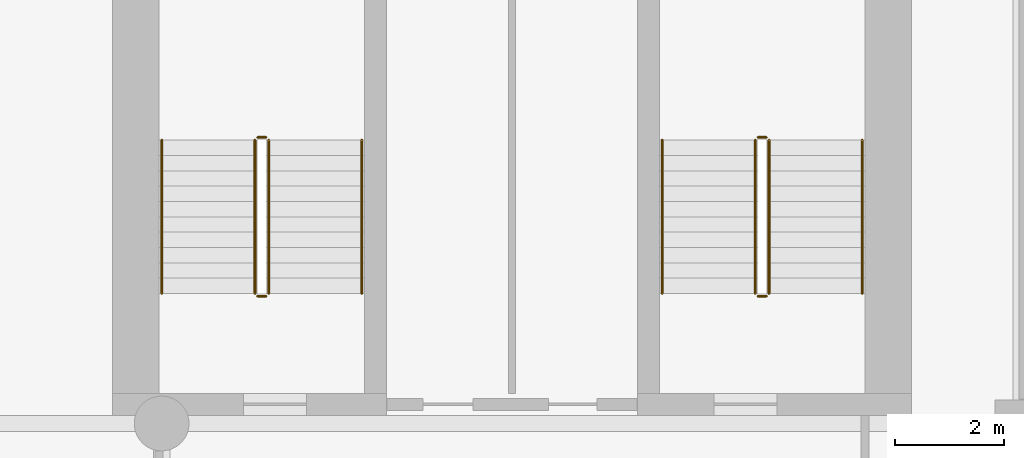
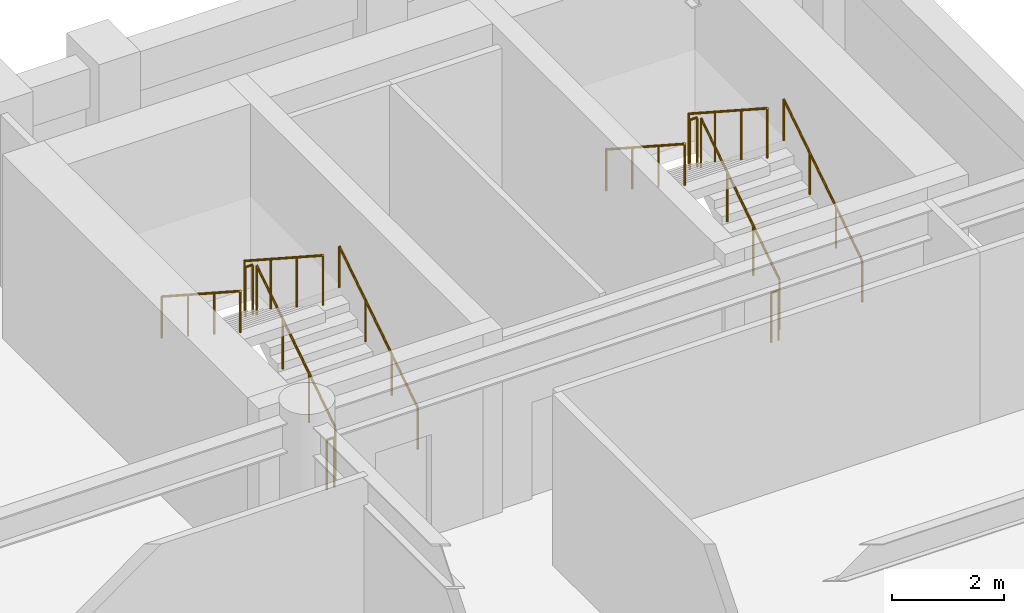
# One storey, part 8 of 8: 12 railings.
"""IFC4 building model written with IfcOpenShell, lengths in metres."""

from ifc_helpers import new_model, si_unit, direction, frame, origin, origin_2d, place, context, subcontext, project, spatial, circle, extrude, material, type_object, element, save


model = new_model("IFC4")

# Units and contexts
model_context = context("Model", 3, precision=1e-05, world=origin(), true_north=direction((0.0, 1.0)))
body_context = subcontext(model_context, "Body", "Model", "MODEL_VIEW")
ifc_project = project(units=[si_unit("LENGTHUNIT", "METRE"), si_unit("AREAUNIT", "SQUARE_METRE"), si_unit("VOLUMEUNIT", "CUBIC_METRE"), si_unit("PLANEANGLEUNIT", "RADIAN"), si_unit("MASSUNIT", "GRAM", prefix="KILO")], contexts=[model_context])

# Site, building, storey
site_placement = place(None, origin())
site = spatial("IfcSite", under=ifc_project, at=site_placement, CompositionType="ELEMENT")
building_placement = place(site_placement, origin())
building = spatial("IfcBuilding", under=site, at=building_placement, Name="Sulina Concourse Tower", CompositionType="ELEMENT")
storey_placement = place(building_placement, frame((0.0, 0.0, 136.60009765625)))
storey = spatial("IfcBuildingStorey", under=building, at=storey_placement, Name="L33", CompositionType="ELEMENT", Elevation=136.60009765625)

# Railings
ifc_material_1 = material(Name="Galvanised steel railing", Category="steel")
railing_type_1 = type_object("IfcRailingType", Name="Core Stair Steel Guardrail 1150mm", PredefinedType="GUARDRAIL", material=ifc_material_1)
railing_1_placement = place(storey_placement, frame((43.554931640625, 36.375, 0.181640625)))
element("IfcRailing", 1, at=railing_1_placement, inside=storey, type_object=railing_type_1, Name="L33 ST-3 stair guard 1", PredefinedType="GUARDRAIL", context=body_context, shape_type="SweptSolid", body=[
    extrude(circle(Radius=0.02392578125, at=origin_2d()), frame((0.0, 0.0, 1.076171875), z_axis=(0.0, 0.838672427954, 0.544636170843), x_axis=(-1.0, 0.0, 0.0)), (0.0, 0.0, 1.0), 3.338623046875),
    extrude(circle(Radius=0.02099609375, at=origin_2d()), origin(), (0.0, 0.0, 1.0), 1.052001953125),
    extrude(circle(Radius=0.02099609375, at=origin_2d()), frame((0.0, 0.933349609375, 0.606201171875)), (0.0, 0.0, 1.0), 1.052001953125),
    extrude(circle(Radius=0.02099609375, at=origin_2d()), frame((0.0, 1.86669921875, 1.212158203125)), (0.0, 0.0, 1.0), 1.052001953125),
    extrude(circle(Radius=0.02099609375, at=origin_2d()), frame((0.0, 2.800048828125, 1.818359375)), (0.0, 0.0, 1.0), 1.052001953125),
])
railing_2_placement = place(storey_placement, frame((43.5048828125, 39.22509765625, 2.0)))
element("IfcRailing", 2, at=railing_2_placement, inside=storey, type_object=railing_type_1, Name="L33 ST-3 stair guard 2", PredefinedType="GUARDRAIL", context=body_context, shape_type="SweptSolid", body=[
    extrude(circle(Radius=0.02392578125, at=origin_2d()), frame((0.0, 0.0, 1.076171875), z_axis=(-1.0, 0.0, 0.0), x_axis=(0.0, -1.0, 0.0)), (0.0, 0.0, 1.0), 0.14990234375),
    extrude(circle(Radius=0.02099609375, at=origin_2d()), origin(), (0.0, 0.0, 1.0), 1.052001953125),
    extrude(circle(Radius=0.02099609375, at=origin_2d()), frame((-0.14990234375, 0.0, 0.0)), (0.0, 0.0, 1.0), 1.052001953125),
])
railing_3_placement = place(storey_placement, frame((43.304931640625, 39.175048828125, 2.181640625)))
element("IfcRailing", 3, at=railing_3_placement, inside=storey, type_object=railing_type_1, Name="L33 ST-3 stair guard 3", PredefinedType="GUARDRAIL", context=body_context, shape_type="SweptSolid", body=[
    extrude(circle(Radius=0.02392578125, at=origin_2d()), frame((0.0, 0.0, 1.076171875), z_axis=(0.0, -0.838672427954, 0.544636170843), x_axis=(1.0, 0.0, 0.0)), (0.0, 0.0, 1.0), 3.338623046875),
    extrude(circle(Radius=0.02099609375, at=origin_2d()), origin(), (0.0, 0.0, 1.0), 1.052001953125),
    extrude(circle(Radius=0.02099609375, at=origin_2d()), frame((0.0, -0.933349609375, 0.606201171875)), (0.0, 0.0, 1.0), 1.052001953125),
    extrude(circle(Radius=0.02099609375, at=origin_2d()), frame((0.0, -1.86669921875, 1.212158203125)), (0.0, 0.0, 1.0), 1.052001953125),
    extrude(circle(Radius=0.02099609375, at=origin_2d()), frame((0.0, -2.800048828125, 1.818359375)), (0.0, 0.0, 1.0), 1.052001953125),
])
railing_4_placement = place(storey_placement, frame((43.5048828125, 36.324951171875, 0.0)))
element("IfcRailing", 4, at=railing_4_placement, inside=storey, type_object=railing_type_1, Name="L33 ST-3 stair guard 4", PredefinedType="GUARDRAIL", context=body_context, shape_type="SweptSolid", body=[
    extrude(circle(Radius=0.02392578125, at=origin_2d()), frame((0.0, 0.0, 1.076171875), z_axis=(-1.0, 0.0, 0.0), x_axis=(0.0, -1.0, 0.0)), (0.0, 0.0, 1.0), 0.14990234375),
    extrude(circle(Radius=0.02099609375, at=origin_2d()), origin(), (0.0, 0.0, 1.0), 1.052001953125),
    extrude(circle(Radius=0.02099609375, at=origin_2d()), frame((-0.14990234375, 0.0, 0.0)), (0.0, 0.0, 1.0), 1.052001953125),
])
railing_5_placement = place(storey_placement, frame((52.695068359375, 36.375, 0.181640625)))
element("IfcRailing", 5, at=railing_5_placement, inside=storey, type_object=railing_type_1, Name="L33 ST-4 stair guard 1", PredefinedType="GUARDRAIL", context=body_context, shape_type="SweptSolid", body=[
    extrude(circle(Radius=0.02392578125, at=origin_2d()), frame((0.0, 0.0, 1.076171875), z_axis=(0.0, 0.838672427954, 0.544636170843), x_axis=(-1.0, 0.0, 0.0)), (0.0, 0.0, 1.0), 3.338623046875),
    extrude(circle(Radius=0.02099609375, at=origin_2d()), origin(), (0.0, 0.0, 1.0), 1.052001953125),
    extrude(circle(Radius=0.02099609375, at=origin_2d()), frame((0.0, 0.933349609375, 0.606201171875)), (0.0, 0.0, 1.0), 1.052001953125),
    extrude(circle(Radius=0.02099609375, at=origin_2d()), frame((0.0, 1.86669921875, 1.212158203125)), (0.0, 0.0, 1.0), 1.052001953125),
    extrude(circle(Radius=0.02099609375, at=origin_2d()), frame((0.0, 2.800048828125, 1.818359375)), (0.0, 0.0, 1.0), 1.052001953125),
])
railing_6_placement = place(storey_placement, frame((52.64501953125, 39.22509765625, 2.0)))
element("IfcRailing", 6, at=railing_6_placement, inside=storey, type_object=railing_type_1, Name="L33 ST-4 stair guard 2", PredefinedType="GUARDRAIL", context=body_context, shape_type="SweptSolid", body=[
    extrude(circle(Radius=0.02392578125, at=origin_2d()), frame((0.0, 0.0, 1.076171875), z_axis=(-1.0, 0.0, 0.0), x_axis=(0.0, -1.0, 0.0)), (0.0, 0.0, 1.0), 0.14990234375),
    extrude(circle(Radius=0.02099609375, at=origin_2d()), origin(), (0.0, 0.0, 1.0), 1.052001953125),
    extrude(circle(Radius=0.02099609375, at=origin_2d()), frame((-0.14990234375, 0.0, 0.0)), (0.0, 0.0, 1.0), 1.052001953125),
])
railing_7_placement = place(storey_placement, frame((52.445068359375, 39.175048828125, 2.181640625)))
element("IfcRailing", 7, at=railing_7_placement, inside=storey, type_object=railing_type_1, Name="L33 ST-4 stair guard 3", PredefinedType="GUARDRAIL", context=body_context, shape_type="SweptSolid", body=[
    extrude(circle(Radius=0.02392578125, at=origin_2d()), frame((0.0, 0.0, 1.076171875), z_axis=(0.0, -0.838672427954, 0.544636170843), x_axis=(1.0, 0.0, 0.0)), (0.0, 0.0, 1.0), 3.338623046875),
    extrude(circle(Radius=0.02099609375, at=origin_2d()), origin(), (0.0, 0.0, 1.0), 1.052001953125),
    extrude(circle(Radius=0.02099609375, at=origin_2d()), frame((0.0, -0.933349609375, 0.606201171875)), (0.0, 0.0, 1.0), 1.052001953125),
    extrude(circle(Radius=0.02099609375, at=origin_2d()), frame((0.0, -1.86669921875, 1.212158203125)), (0.0, 0.0, 1.0), 1.052001953125),
    extrude(circle(Radius=0.02099609375, at=origin_2d()), frame((0.0, -2.800048828125, 1.818359375)), (0.0, 0.0, 1.0), 1.052001953125),
])
railing_8_placement = place(storey_placement, frame((52.64501953125, 36.324951171875, 0.0)))
element("IfcRailing", 8, at=railing_8_placement, inside=storey, type_object=railing_type_1, Name="L33 ST-4 stair guard 4", PredefinedType="GUARDRAIL", context=body_context, shape_type="SweptSolid", body=[
    extrude(circle(Radius=0.02392578125, at=origin_2d()), frame((0.0, 0.0, 1.076171875), z_axis=(-1.0, 0.0, 0.0), x_axis=(0.0, -1.0, 0.0)), (0.0, 0.0, 1.0), 0.14990234375),
    extrude(circle(Radius=0.02099609375, at=origin_2d()), origin(), (0.0, 0.0, 1.0), 1.052001953125),
    extrude(circle(Radius=0.02099609375, at=origin_2d()), frame((-0.14990234375, 0.0, 0.0)), (0.0, 0.0, 1.0), 1.052001953125),
])
ifc_material_2 = material(Name="Galvanised steel railing", Category="steel")
railing_type_2 = type_object("IfcRailingType", Name="Stair Wall Steel Handrail 920mm", PredefinedType="HANDRAIL", material=ifc_material_2)
railing_9_placement = place(storey_placement, frame((45.2548828125, 36.375, 0.181640625)))
element("IfcRailing", 9, at=railing_9_placement, inside=storey, type_object=railing_type_2, Name="L33 ST-3 stair handrail 1", PredefinedType="HANDRAIL", context=body_context, shape_type="SweptSolid", body=[
    extrude(circle(Radius=0.02392578125, at=origin_2d()), frame((0.0, 0.0, 0.89599609375), z_axis=(0.0, 0.838672427954, 0.544636170843), x_axis=(-1.0, 0.0, 0.0)), (0.0, 0.0, 1.0), 3.338623046875),
    extrude(circle(Radius=0.02099609375, at=origin_2d()), origin(), (0.0, 0.0, 1.0), 0.871826171875),
    extrude(circle(Radius=0.02099609375, at=origin_2d()), frame((0.0, 0.933349609375, 0.606201171875)), (0.0, 0.0, 1.0), 0.871826171875),
    extrude(circle(Radius=0.02099609375, at=origin_2d()), frame((0.0, 1.86669921875, 1.212158203125)), (0.0, 0.0, 1.0), 0.871826171875),
    extrude(circle(Radius=0.02099609375, at=origin_2d()), frame((0.0, 2.800048828125, 1.818359375)), (0.0, 0.0, 1.0), 0.871826171875),
])
railing_10_placement = place(storey_placement, frame((41.60498046875, 39.175048828125, 2.181640625)))
element("IfcRailing", 10, at=railing_10_placement, inside=storey, type_object=railing_type_2, Name="L33 ST-3 stair handrail 2", PredefinedType="HANDRAIL", context=body_context, shape_type="SweptSolid", body=[
    extrude(circle(Radius=0.02392578125, at=origin_2d()), frame((0.0, 0.0, 0.89599609375), z_axis=(0.0, -0.838672427954, 0.544636170843), x_axis=(1.0, 0.0, 0.0)), (0.0, 0.0, 1.0), 3.338623046875),
    extrude(circle(Radius=0.02099609375, at=origin_2d()), origin(), (0.0, 0.0, 1.0), 0.871826171875),
    extrude(circle(Radius=0.02099609375, at=origin_2d()), frame((0.0, -0.933349609375, 0.606201171875)), (0.0, 0.0, 1.0), 0.871826171875),
    extrude(circle(Radius=0.02099609375, at=origin_2d()), frame((0.0, -1.86669921875, 1.212158203125)), (0.0, 0.0, 1.0), 0.871826171875),
    extrude(circle(Radius=0.02099609375, at=origin_2d()), frame((0.0, -2.800048828125, 1.818359375)), (0.0, 0.0, 1.0), 0.871826171875),
])
railing_11_placement = place(storey_placement, frame((54.39501953125, 36.375, 0.181640625)))
element("IfcRailing", 11, at=railing_11_placement, inside=storey, type_object=railing_type_2, Name="L33 ST-4 stair handrail 1", PredefinedType="HANDRAIL", context=body_context, shape_type="SweptSolid", body=[
    extrude(circle(Radius=0.02392578125, at=origin_2d()), frame((0.0, 0.0, 0.89599609375), z_axis=(0.0, 0.838672427954, 0.544636170843), x_axis=(-1.0, 0.0, 0.0)), (0.0, 0.0, 1.0), 3.338623046875),
    extrude(circle(Radius=0.02099609375, at=origin_2d()), origin(), (0.0, 0.0, 1.0), 0.871826171875),
    extrude(circle(Radius=0.02099609375, at=origin_2d()), frame((0.0, 0.933349609375, 0.606201171875)), (0.0, 0.0, 1.0), 0.871826171875),
    extrude(circle(Radius=0.02099609375, at=origin_2d()), frame((0.0, 1.86669921875, 1.212158203125)), (0.0, 0.0, 1.0), 0.871826171875),
    extrude(circle(Radius=0.02099609375, at=origin_2d()), frame((0.0, 2.800048828125, 1.818359375)), (0.0, 0.0, 1.0), 0.871826171875),
])
railing_12_placement = place(storey_placement, frame((50.7451171875, 39.175048828125, 2.181640625)))
element("IfcRailing", 12, at=railing_12_placement, inside=storey, type_object=railing_type_2, Name="L33 ST-4 stair handrail 2", PredefinedType="HANDRAIL", context=body_context, shape_type="SweptSolid", body=[
    extrude(circle(Radius=0.02392578125, at=origin_2d()), frame((0.0, 0.0, 0.89599609375), z_axis=(0.0, -0.838672427954, 0.544636170843), x_axis=(1.0, 0.0, 0.0)), (0.0, 0.0, 1.0), 3.338623046875),
    extrude(circle(Radius=0.02099609375, at=origin_2d()), origin(), (0.0, 0.0, 1.0), 0.871826171875),
    extrude(circle(Radius=0.02099609375, at=origin_2d()), frame((0.0, -0.933349609375, 0.606201171875)), (0.0, 0.0, 1.0), 0.871826171875),
    extrude(circle(Radius=0.02099609375, at=origin_2d()), frame((0.0, -1.86669921875, 1.212158203125)), (0.0, 0.0, 1.0), 0.871826171875),
    extrude(circle(Radius=0.02099609375, at=origin_2d()), frame((0.0, -2.800048828125, 1.818359375)), (0.0, 0.0, 1.0), 0.871826171875),
])

save(model, "model.ifc")
